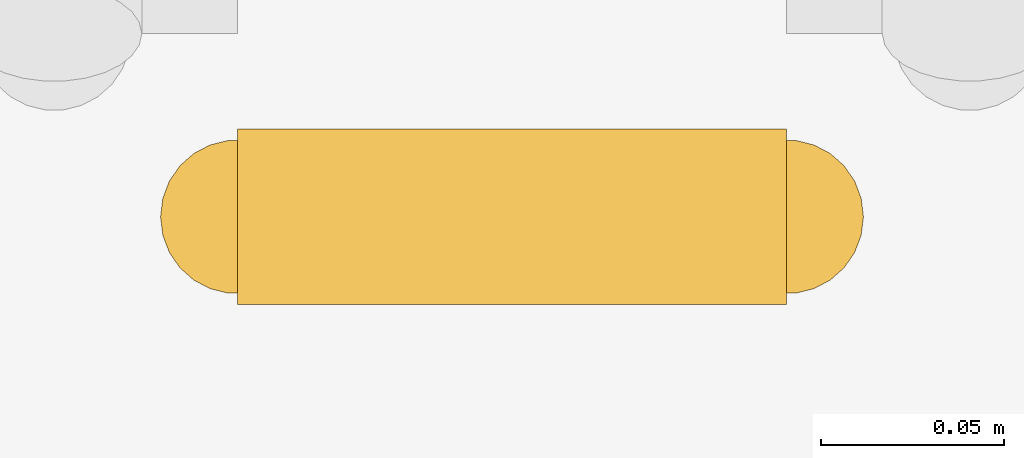
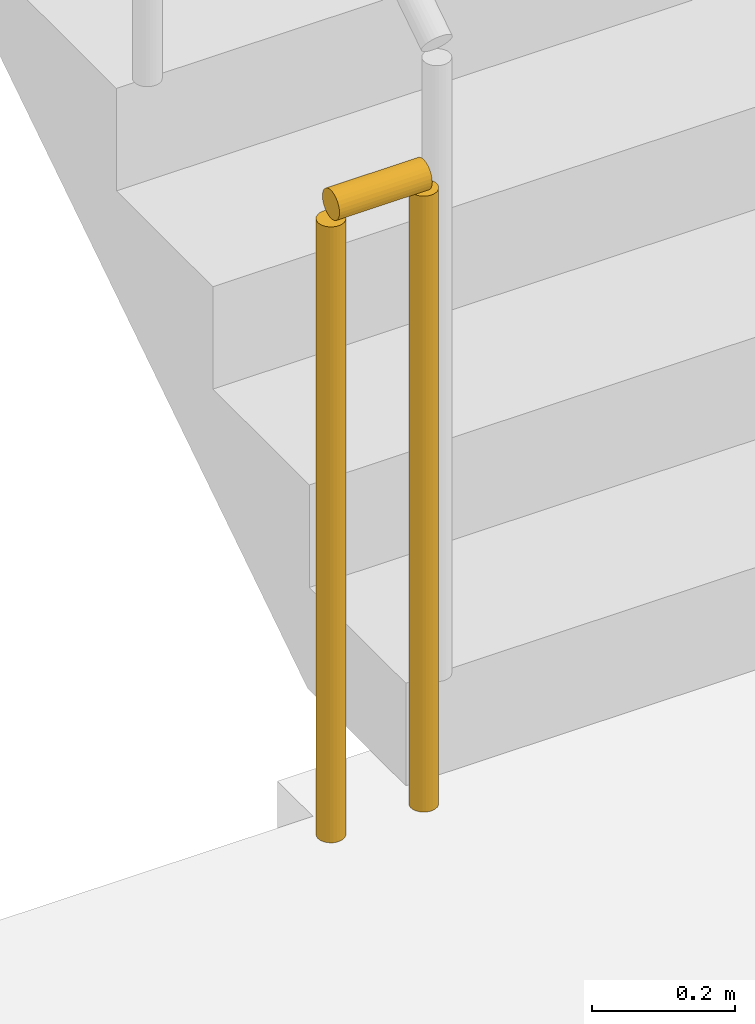
# One storey, part 17 of 20: 1 railing.
"""IFC4 building model written with IfcOpenShell, lengths in metres."""

from ifc_helpers import new_model, si_unit, direction, frame, origin, origin_2d, place, context, subcontext, project, spatial, circle, extrude, material, type_object, element, save


model = new_model("IFC4")

# Units and contexts
model_context = context("Model", 3, precision=1e-05, world=origin(), true_north=direction((0.0, 1.0)))
body_context = subcontext(model_context, "Body", "Model", "MODEL_VIEW")
ifc_project = project(units=[si_unit("LENGTHUNIT", "METRE"), si_unit("AREAUNIT", "SQUARE_METRE"), si_unit("VOLUMEUNIT", "CUBIC_METRE"), si_unit("PLANEANGLEUNIT", "RADIAN"), si_unit("MASSUNIT", "GRAM", prefix="KILO")], contexts=[model_context])

# Site, building, storey
site_placement = place(None, origin())
site = spatial("IfcSite", under=ifc_project, at=site_placement, CompositionType="ELEMENT")
building_placement = place(site_placement, origin())
building = spatial("IfcBuilding", under=site, at=building_placement, Name="Saffron Iwan Residences", CompositionType="ELEMENT")
storey_placement = place(building_placement, frame((0.0, 0.0, 143.0)))
storey = spatial("IfcBuildingStorey", under=building, at=storey_placement, Name="L37", CompositionType="ELEMENT", Elevation=143.0)

# Railing
ifc_material = material(Name="Steel S355", Category="steel")
railing_type = type_object("IfcRailingType", Name="Stair guard 1100", PredefinedType="GUARDRAIL", material=ifc_material)
railing_placement = place(storey_placement, frame((69.699951171875, 67.800048828125, 0.0)))
element("IfcRailing", 1, at=railing_placement, inside=storey, type_object=railing_type, Name="L37 ST-E stair guard 2", PredefinedType="GUARDRAIL", context=body_context, shape_type="SweptSolid", body=[
    extrude(circle(Radius=0.02392578125, at=origin_2d()), frame((0.0, 0.0, 1.076171875), z_axis=(-1.0, 0.0, 0.0), x_axis=(0.0, -1.0, 0.0)), (0.0, 0.0, 1.0), 0.14990234375),
    extrude(circle(Radius=0.02099609375, at=origin_2d()), origin(), (0.0, 0.0, 1.0), 1.052001953125),
    extrude(circle(Radius=0.02099609375, at=origin_2d()), frame((-0.14990234375, 0.0, 0.0)), (0.0, 0.0, 1.0), 1.052001953125),
])

save(model, "model.ifc")
